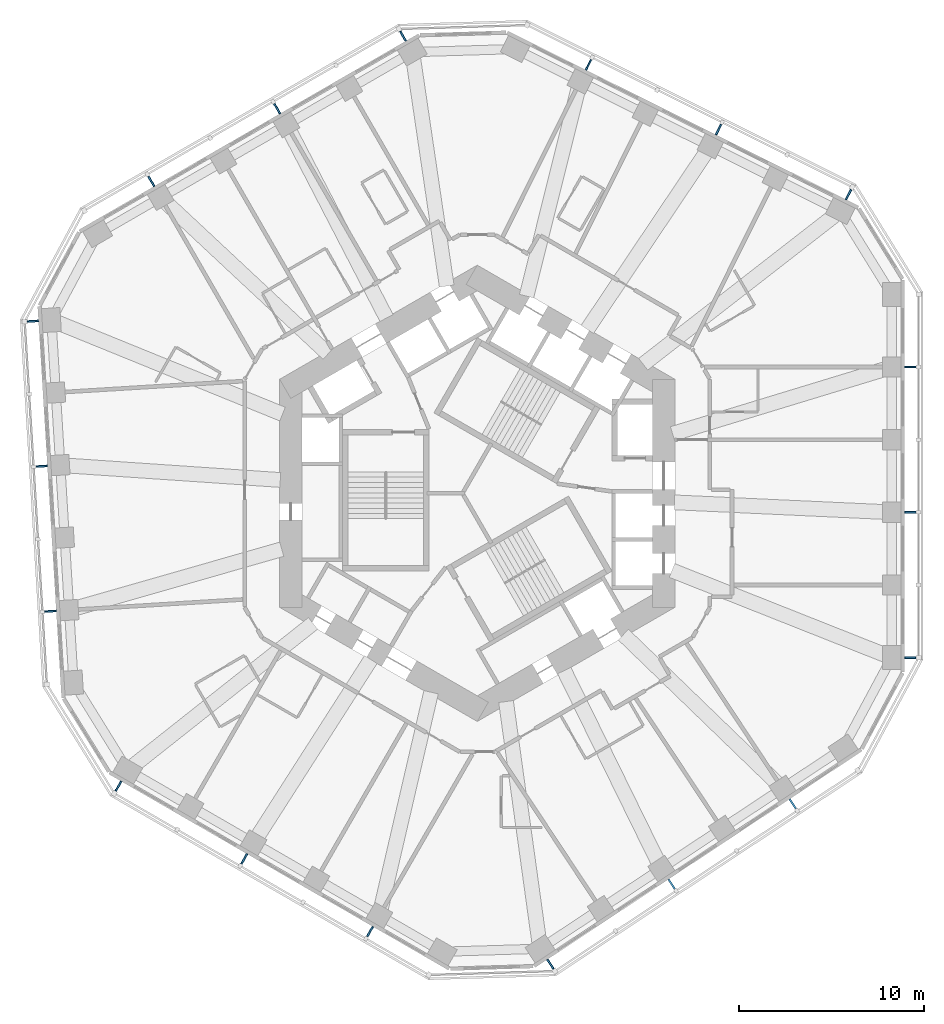
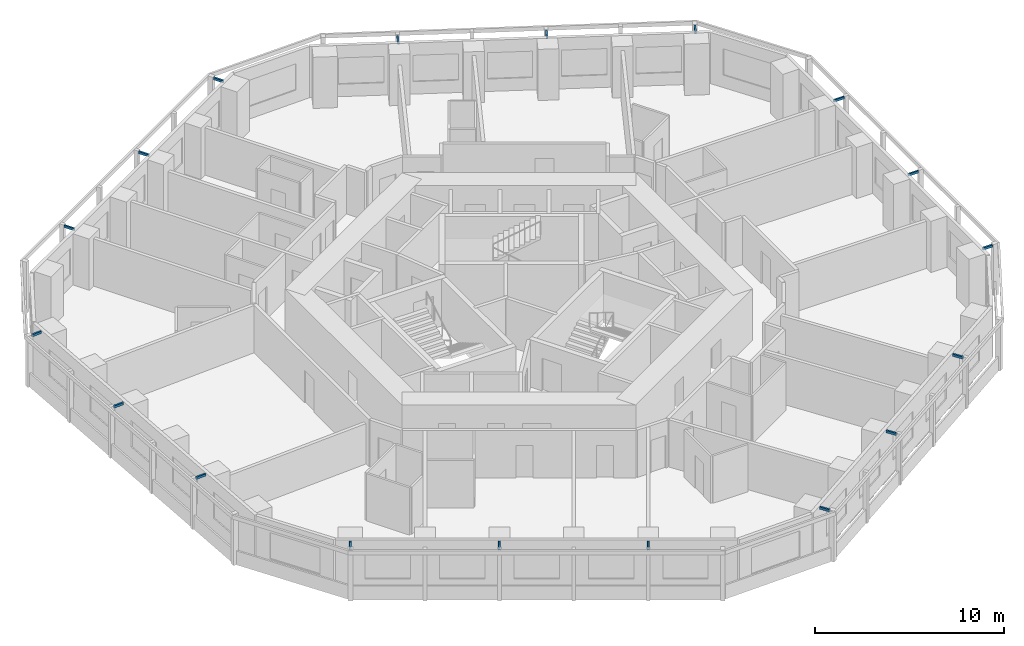
# One storey, part 11 of 12: 18 discrete accessories.
"""IFC4 building model written with IfcOpenShell, lengths in metres."""

from ifc_helpers import new_model, si_unit, direction, frame, origin, origin_2d, place, context, subcontext, project, spatial, rectangle, extrude, material, type_object, element, save


model = new_model("IFC4")

# Units and contexts
model_context = context("Model", 3, precision=1e-05, world=origin(), true_north=direction((0.0, 1.0)))
body_context = subcontext(model_context, "Body", "Model", "MODEL_VIEW")
ifc_project = project(units=[si_unit("LENGTHUNIT", "METRE"), si_unit("AREAUNIT", "SQUARE_METRE"), si_unit("VOLUMEUNIT", "CUBIC_METRE"), si_unit("PLANEANGLEUNIT", "RADIAN"), si_unit("MASSUNIT", "GRAM", prefix="KILO")], contexts=[model_context])

# Site, building, storey
site_placement = place(None, origin())
site = spatial("IfcSite", under=ifc_project, at=site_placement, CompositionType="ELEMENT")
building_placement = place(site_placement, origin())
building = spatial("IfcBuilding", under=site, at=building_placement, Name="Vanh Sen Convention Tower", CompositionType="ELEMENT")
storey_placement = place(building_placement, frame((0.0, 0.0, 106.699951171875)))
storey = spatial("IfcBuildingStorey", under=building, at=storey_placement, Name="L25", CompositionType="ELEMENT", Elevation=106.699951171875)

# Discrete accessories
ifc_material = material(Name="Steel S355", Category="steel")
discrete_accessory_type = type_object("IfcDiscreteAccessoryType", Name="Fin bracket 100 x 150", PredefinedType="BRACKET", material=ifc_material)
discrete_accessory_1_placement = place(storey_placement, frame((23.449951171875, -8.899169921875, 3.10009765625), z_axis=(0.0, 0.0, 1.0), x_axis=(1.0, 0.0, 0.0)))
element("IfcDiscreteAccessory", 1, at=discrete_accessory_1_placement, inside=storey, type_object=discrete_accessory_type, Name="Fin bracket E-1 L25", PredefinedType="BRACKET", context=body_context, shape_type="SweptSolid", body=[
    extrude(rectangle(XDim=0.60009765625, YDim=0.10009765625, at=origin_2d()), origin(), (0.0, 0.0, 1.0), 0.14990234375),
])
for number, where, z_axis, x_axis, name in (
    (2, (23.46240234375, -1.030029296875, 3.10009765625), (0.0, 0.0, 1.0), (1.0, 0.0, 0.0), "Fin bracket E-3 L25"),
    (3, (23.46240234375, 6.839111328125, 3.10009765625), (0.0, 0.0, 1.0), (1.0, 0.0, 0.0), "Fin bracket E-5 L25"),
):
    element("IfcDiscreteAccessory", number, at=place(storey_placement, frame(where, z_axis=z_axis, x_axis=x_axis)), inside=storey, type_object=discrete_accessory_type, Name=name, PredefinedType="BRACKET", context=body_context, shape_type="SweptSolid", body=[
        extrude(rectangle(XDim=0.625, YDim=0.10009765625, at=origin_2d()), origin(), (0.0, 0.0, 1.0), 0.14990234375),
    ])
discrete_accessory_2_placement = place(storey_placement, frame((20.10498046875, 16.178955078125, 3.10009765625), z_axis=(0.0, 0.0, 1.0), x_axis=(0.44619781311, 0.894934361602, 0.0)))
element("IfcDiscreteAccessory", 4, at=discrete_accessory_2_placement, inside=storey, type_object=discrete_accessory_type, Name="Fin bracket NE-1 L25", PredefinedType="BRACKET", context=body_context, shape_type="SweptSolid", body=[
    extrude(rectangle(XDim=0.60009765625, YDim=0.10009765625, at=origin_2d()), origin(), (0.0, 0.0, 1.0), 0.14990234375),
])
for number, where, z_axis, x_axis, name in (
    (5, (13.068359375, 19.701416015625, 3.10009765625), (0.0, 0.0, 1.0), (0.44619781311, 0.894934361602, 0.0), "Fin bracket NE-3 L25"),
    (6, (6.02587890625, 23.212646484375, 3.10009765625), (0.0, 0.0, 1.0), (0.44619781311, 0.894934361602, 0.0), "Fin bracket NE-5 L25"),
):
    element("IfcDiscreteAccessory", number, at=place(storey_placement, frame(where, z_axis=z_axis, x_axis=x_axis)), inside=storey, type_object=discrete_accessory_type, Name=name, PredefinedType="BRACKET", context=body_context, shape_type="SweptSolid", body=[
        extrude(rectangle(XDim=0.625, YDim=0.10009765625, at=origin_2d()), origin(), (0.0, 0.0, 1.0), 0.14990234375),
    ])
discrete_accessory_3_placement = place(storey_placement, frame((-4.01806640625, 24.7578125, 3.10009765625), z_axis=(0.0, 0.0, 1.0), x_axis=(-0.5, 0.866025403784, 0.0)))
element("IfcDiscreteAccessory", 7, at=discrete_accessory_3_placement, inside=storey, type_object=discrete_accessory_type, Name="Fin bracket NW-1 L25", PredefinedType="BRACKET", context=body_context, shape_type="SweptSolid", body=[
    extrude(rectangle(XDim=0.60009765625, YDim=0.10009765625, at=origin_2d()), origin(), (0.0, 0.0, 1.0), 0.14990234375),
])
for number, where, z_axis, x_axis, name in (
    (8, (-10.839111328125, 20.834228515625, 3.10009765625), (0.0, 0.0, 1.0), (-0.5, 0.866025403784, 0.0), "Fin bracket NW-3 L25"),
    (9, (-17.654296875, 16.899658203125, 3.10009765625), (0.0, 0.0, 1.0), (-0.5, 0.866025403784, 0.0), "Fin bracket NW-5 L25"),
):
    element("IfcDiscreteAccessory", number, at=place(storey_placement, frame(where, z_axis=z_axis, x_axis=x_axis)), inside=storey, type_object=discrete_accessory_type, Name=name, PredefinedType="BRACKET", context=body_context, shape_type="SweptSolid", body=[
        extrude(rectangle(XDim=0.625, YDim=0.10009765625, at=origin_2d()), origin(), (0.0, 0.0, 1.0), 0.14990234375),
    ])
discrete_accessory_4_placement = place(storey_placement, frame((-24.06396484375, 9.322021484375, 3.10009765625), z_axis=(0.0, 0.0, 1.0), x_axis=(-0.998134798422, -0.061048539535, 0.0)))
element("IfcDiscreteAccessory", 10, at=discrete_accessory_4_placement, inside=storey, type_object=discrete_accessory_type, Name="Fin bracket W-1 L25", PredefinedType="BRACKET", context=body_context, shape_type="SweptSolid", body=[
    extrude(rectangle(XDim=0.60009765625, YDim=0.10009765625, at=origin_2d()), origin(), (0.0, 0.0, 1.0), 0.14990234375),
])
for number, where, z_axis, x_axis, name in (
    (11, (-23.595947265625, 1.466796875, 3.10009765625), (0.0, 0.0, 1.0), (-0.998134798422, -0.061048539535, 0.0), "Fin bracket W-3 L25"),
    (12, (-23.115478515625, -6.3876953125, 3.10009765625), (0.0, 0.0, 1.0), (-0.998134798422, -0.061048539535, 0.0), "Fin bracket W-5 L25"),
):
    element("IfcDiscreteAccessory", number, at=place(storey_placement, frame(where, z_axis=z_axis, x_axis=x_axis)), inside=storey, type_object=discrete_accessory_type, Name=name, PredefinedType="BRACKET", context=body_context, shape_type="SweptSolid", body=[
        extrude(rectangle(XDim=0.625, YDim=0.10009765625, at=origin_2d()), origin(), (0.0, 0.0, 1.0), 0.14990234375),
    ])
discrete_accessory_5_placement = place(storey_placement, frame((-19.431884765625, -15.858642578125, 3.10009765625), z_axis=(0.0, 0.0, 1.0), x_axis=(-0.5, -0.866025403784, 0.0)))
element("IfcDiscreteAccessory", 13, at=discrete_accessory_5_placement, inside=storey, type_object=discrete_accessory_type, Name="Fin bracket SW-1 L25", PredefinedType="BRACKET", context=body_context, shape_type="SweptSolid", body=[
    extrude(rectangle(XDim=0.60009765625, YDim=0.10009765625, at=origin_2d()), origin(), (0.0, 0.0, 1.0), 0.14990234375),
])
for number, where, z_axis, x_axis, name in (
    (14, (-12.623291015625, -19.80419921875, 3.10009765625), (0.0, 0.0, 1.0), (-0.5, -0.866025403784, 0.0), "Fin bracket SW-3 L25"),
    (15, (-5.808349609375, -23.73876953125, 3.10009765625), (0.0, 0.0, 1.0), (-0.5, -0.866025403784, 0.0), "Fin bracket SW-5 L25"),
):
    element("IfcDiscreteAccessory", number, at=place(storey_placement, frame(where, z_axis=z_axis, x_axis=x_axis)), inside=storey, type_object=discrete_accessory_type, Name=name, PredefinedType="BRACKET", context=body_context, shape_type="SweptSolid", body=[
        extrude(rectangle(XDim=0.625, YDim=0.10009765625, at=origin_2d()), origin(), (0.0, 0.0, 1.0), 0.14990234375),
    ])
discrete_accessory_6_placement = place(storey_placement, frame((3.958740234375, -25.5009765625, 3.10009765625), z_axis=(0.0, 0.0, 1.0), x_axis=(0.551936985312, -0.833885822067, 0.0)))
element("IfcDiscreteAccessory", 16, at=discrete_accessory_6_placement, inside=storey, type_object=discrete_accessory_type, Name="Fin bracket SE-1 L25", PredefinedType="BRACKET", context=body_context, shape_type="SweptSolid", body=[
    extrude(rectangle(XDim=0.60009765625, YDim=0.10009765625, at=origin_2d()), origin(), (0.0, 0.0, 1.0), 0.14990234375),
])
for number, where, z_axis, x_axis, name in (
    (17, (10.527587890625, -21.168212890625, 3.10009765625), (0.0, 0.0, 1.0), (0.551936985312, -0.833885822067, 0.0), "Fin bracket SE-3 L25"),
    (18, (17.089599609375, -16.824951171875, 3.10009765625), (0.0, 0.0, 1.0), (0.551936985312, -0.833885822067, 0.0), "Fin bracket SE-5 L25"),
):
    element("IfcDiscreteAccessory", number, at=place(storey_placement, frame(where, z_axis=z_axis, x_axis=x_axis)), inside=storey, type_object=discrete_accessory_type, Name=name, PredefinedType="BRACKET", context=body_context, shape_type="SweptSolid", body=[
        extrude(rectangle(XDim=0.625, YDim=0.10009765625, at=origin_2d()), origin(), (0.0, 0.0, 1.0), 0.14990234375),
    ])

save(model, "model.ifc")
